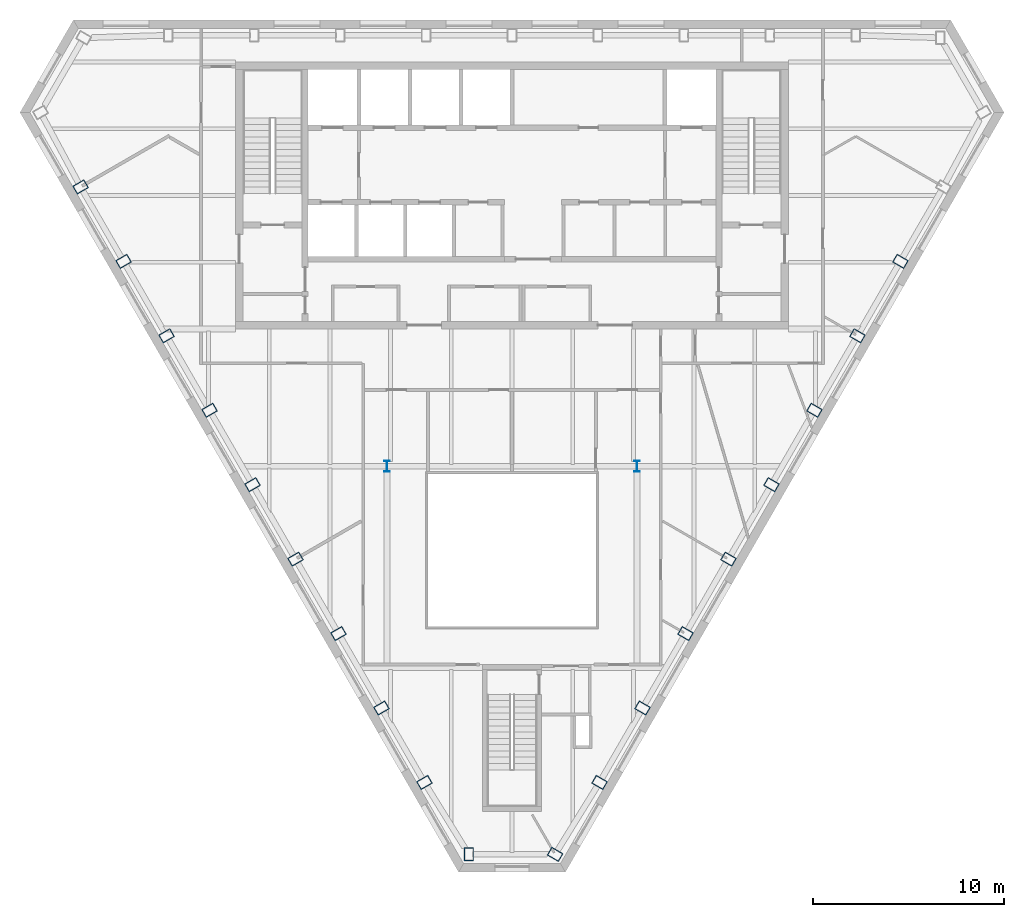
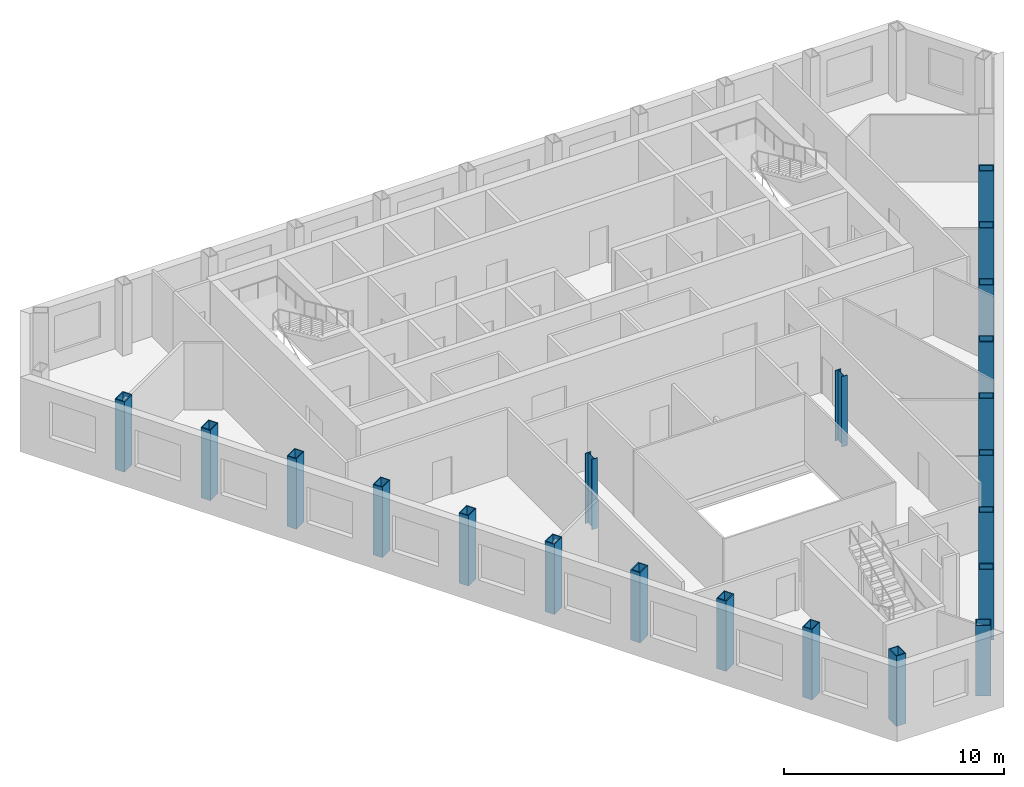
# One storey, part 1 of 10: 21 columns.
"""IFC4 building model written with IfcOpenShell, lengths in metres."""

from ifc_helpers import new_model, si_unit, direction, frame, origin, origin_2d, place, context, subcontext, project, spatial, hollow_rectangle, i_section, extrude, material, material_profile, profile_set, type_object, element, save


model = new_model("IFC4")

# Units and contexts
model_context = context("Model", 3, precision=1e-05, world=origin(), true_north=direction((0.0, 1.0)))
body_context = subcontext(model_context, "Body", "Model", "MODEL_VIEW")
ifc_project = project(units=[si_unit("LENGTHUNIT", "METRE"), si_unit("AREAUNIT", "SQUARE_METRE"), si_unit("VOLUMEUNIT", "CUBIC_METRE"), si_unit("PLANEANGLEUNIT", "RADIAN"), si_unit("MASSUNIT", "GRAM", prefix="KILO")], contexts=[model_context])

# Site, building, storey
site_placement = place(None, origin())
site = spatial("IfcSite", under=ifc_project, at=site_placement, CompositionType="ELEMENT")
building_placement = place(site_placement, origin())
building = spatial("IfcBuilding", under=site, at=building_placement, Name="Njiva Tower", CompositionType="ELEMENT")
storey_placement = place(building_placement, frame((0.0, 0.0, 276.6)))
storey = spatial("IfcBuildingStorey", under=building, at=storey_placement, Name="L63", CompositionType="ELEMENT", Elevation=276.6)

# Columns
ifc_material = material(Name="Steel S355 J2", Category="steel")
ifc_material_profile_1 = material_profile(ifc_material, hollow_rectangle(XDim=0.5, YDim=0.7, WallThickness=0.045, at=origin_2d()), Name="BOX 700x500x45")
ifc_profile_set_1 = profile_set([ifc_material_profile_1], Name="Steel S355 J2")
column_type_1 = type_object("IfcColumnType", Name="C13 Perimeter tube column BOX 700x500x45", PredefinedType="COLUMN", material=ifc_profile_set_1)
for number, where, z_axis, x_axis, name in (
    (1, (-22.622, 11.447, 0.0), (0.0, 0.0, 1.0), (0.5, -0.866025403784, 0.0), "Perimeter tube column S20-C13"),
    (2, (-20.369, 7.543, 0.0), (0.0, 0.0, 1.0), (0.5, -0.866025403784, 0.0), "Perimeter tube column S20-C14"),
    (3, (-18.115, 3.639, 0.0), (0.0, 0.0, 1.0), (0.5, -0.866025403784, 0.0), "Perimeter tube column S20-C15"),
    (4, (-15.861, -0.265, 0.0), (0.0, 0.0, 1.0), (0.5, -0.866025403784, 0.0), "Perimeter tube column S20-C16"),
    (5, (-13.607, -4.168, 0.0), (0.0, 0.0, 1.0), (0.5, -0.866025403784, 0.0), "Perimeter tube column S20-C17"),
    (6, (-11.353, -8.072, 0.0), (0.0, 0.0, 1.0), (0.5, -0.866025403784, 0.0), "Perimeter tube column S20-C18"),
    (7, (-9.1, -11.976, 0.0), (0.0, 0.0, 1.0), (0.5, -0.866025403784, 0.0), "Perimeter tube column S20-C19"),
    (8, (-6.846, -15.879, 0.0), (0.0, 0.0, 1.0), (0.5, -0.866025403784, 0.0), "Perimeter tube column S20-C20"),
    (9, (-4.592, -19.783, 0.0), (0.0, 0.0, 1.0), (0.5, -0.866025403784, 0.0), "Perimeter tube column S20-C21"),
    (10, (-2.261, -23.554, 0.0), (0.0, 0.0, 1.0), (1.0, 0.0, 0.0), "Perimeter tube column S20-C22"),
    (11, (2.261, -23.554, 0.0), (0.0, 0.0, 1.0), (0.5, 0.866025403784, 0.0), "Perimeter tube column S20-C23"),
    (12, (4.592, -19.783, 0.0), (0.0, 0.0, 1.0), (0.5, 0.866025403784, 0.0), "Perimeter tube column S20-C24"),
    (13, (6.846, -15.879, 0.0), (0.0, 0.0, 1.0), (0.5, 0.866025403784, 0.0), "Perimeter tube column S20-C25"),
    (14, (9.1, -11.976, 0.0), (0.0, 0.0, 1.0), (0.5, 0.866025403784, 0.0), "Perimeter tube column S20-C26"),
    (15, (11.353, -8.072, 0.0), (0.0, 0.0, 1.0), (0.5, 0.866025403784, 0.0), "Perimeter tube column S20-C27"),
    (16, (13.607, -4.168, 0.0), (0.0, 0.0, 1.0), (0.5, 0.866025403784, 0.0), "Perimeter tube column S20-C28"),
    (17, (15.861, -0.265, 0.0), (0.0, 0.0, 1.0), (0.5, 0.866025403784, 0.0), "Perimeter tube column S20-C29"),
    (18, (18.115, 3.639, 0.0), (0.0, 0.0, 1.0), (0.5, 0.866025403784, 0.0), "Perimeter tube column S20-C30"),
    (19, (20.369, 7.543, 0.0), (0.0, 0.0, 1.0), (0.5, 0.866025403784, 0.0), "Perimeter tube column S20-C31"),
):
    element("IfcColumn", number, at=place(storey_placement, frame(where, z_axis=z_axis, x_axis=x_axis)), inside=storey, type_object=column_type_1, Name=name, PredefinedType="COLUMN", context=body_context, shape_type="SweptSolid", body=[
        extrude(hollow_rectangle(XDim=0.5, YDim=0.7, WallThickness=0.045, at=origin_2d()), origin(), (0.0, 0.0, 1.0), 3.9),
    ])
ifc_material_profile_2 = material_profile(ifc_material, i_section(OverallWidth=0.3, OverallDepth=0.6, WebThickness=0.0155, FlangeThickness=0.03, at=origin_2d()), Name="HEB 600")
ifc_profile_set_2 = profile_set([ifc_material_profile_2], Name="Steel S355 J2")
column_type_2 = type_object("IfcColumnType", Name="C14 Interior column HEB 600", PredefinedType="COLUMN", material=ifc_profile_set_2)
for number, where, z_axis, x_axis, name in (
    (20, (6.55, -3.2, 0.0), (0.0, 0.0, 1.0), (1.0, 0.0, 0.0), "Interior column S20-C34"),
    (21, (-6.55, -3.2, 0.0), (0.0, 0.0, 1.0), (1.0, 0.0, 0.0), "Interior column S20-C35"),
):
    element("IfcColumn", number, at=place(storey_placement, frame(where, z_axis=z_axis, x_axis=x_axis)), inside=storey, type_object=column_type_2, Name=name, PredefinedType="COLUMN", context=body_context, shape_type="SweptSolid", body=[
        extrude(i_section(OverallWidth=0.3, OverallDepth=0.6, WebThickness=0.0155, FlangeThickness=0.03, at=origin_2d()), origin(), (0.0, 0.0, 1.0), 3.9),
    ])

save(model, "model.ifc")
